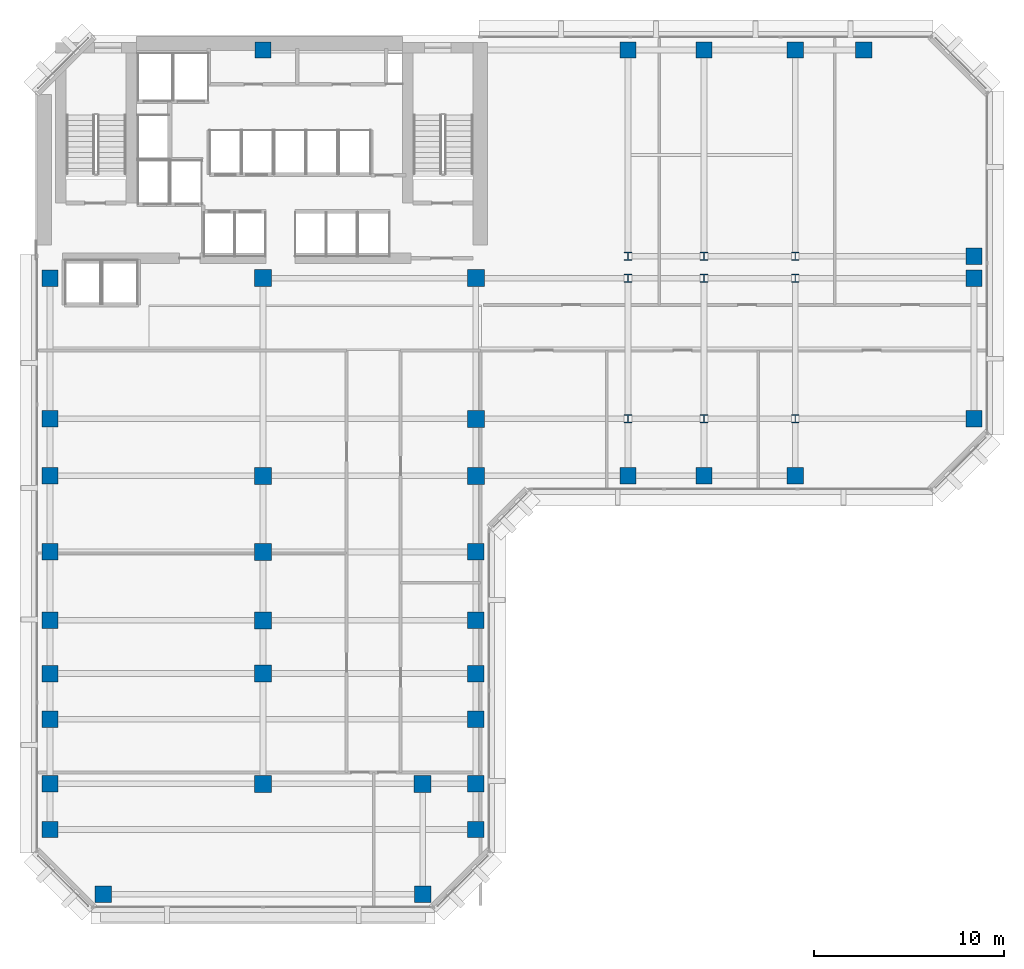
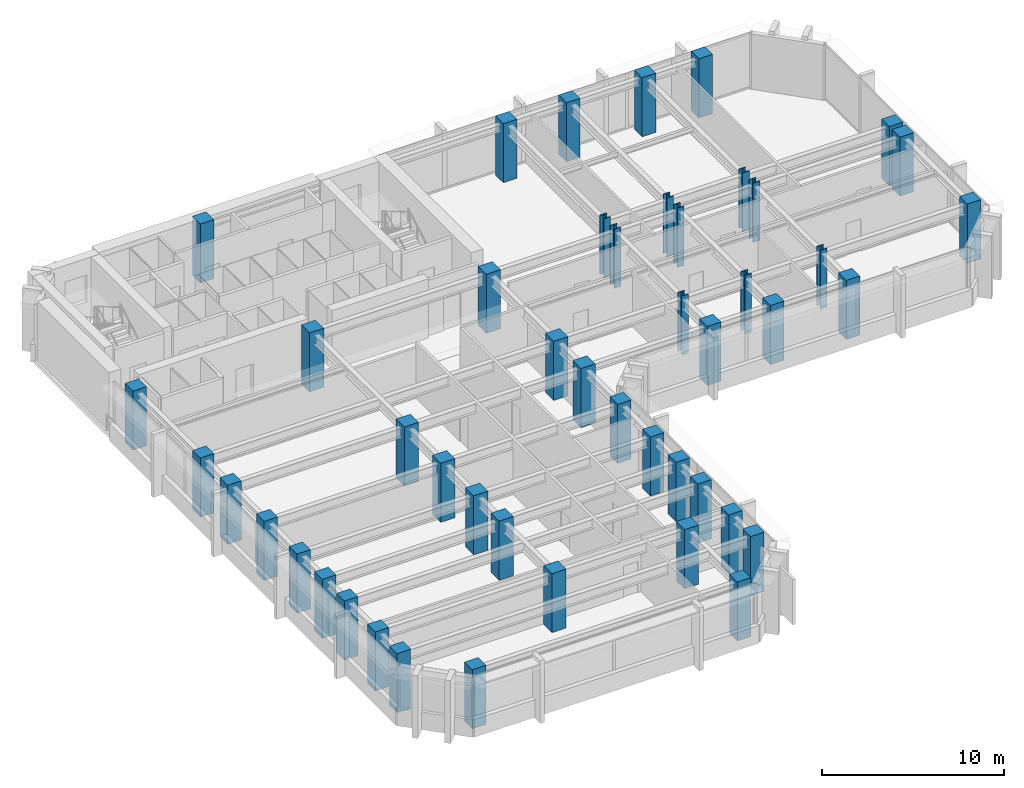
# One storey, part 1 of 12: 47 columns.
"""IFC4 building model written with IfcOpenShell, lengths in metres."""

from ifc_helpers import new_model, si_unit, direction, frame, origin, origin_2d, place, context, subcontext, project, spatial, rectangle, i_section, extrude, material, material_profile, profile_set, type_object, element, save


model = new_model("IFC4")

# Units and contexts
model_context = context("Model", 3, precision=1e-05, world=origin(), true_north=direction((0.0, 1.0)))
body_context = subcontext(model_context, "Body", "Model", "MODEL_VIEW")
ifc_project = project(units=[si_unit("LENGTHUNIT", "METRE"), si_unit("AREAUNIT", "SQUARE_METRE"), si_unit("VOLUMEUNIT", "CUBIC_METRE"), si_unit("PLANEANGLEUNIT", "RADIAN"), si_unit("MASSUNIT", "GRAM", prefix="KILO")], contexts=[model_context])

# Site, building, storey
site_placement = place(None, origin())
site = spatial("IfcSite", under=ifc_project, at=site_placement, CompositionType="ELEMENT")
building_placement = place(site_placement, origin())
building = spatial("IfcBuilding", under=site, at=building_placement, Name="Kefirva Bronze Tower", CompositionType="ELEMENT")
storey_placement = place(building_placement, frame((0.0, 0.0, 122.429931640625)))
storey = spatial("IfcBuildingStorey", under=building, at=storey_placement, Name="L29", CompositionType="ELEMENT", Elevation=122.429931640625)

# Columns
ifc_material_1 = material(Name="Concrete C60/75", Category="concrete")
ifc_material_profile_1 = material_profile(ifc_material_1, rectangle(XDim=0.860107421875, YDim=0.860107421875, at=origin_2d()), Name="RC 860x860")
ifc_profile_set_1 = profile_set([ifc_material_profile_1], Name="Concrete C60/75")
column_type_1 = type_object("IfcColumnType", Name="RC Column 860x860 Ext", PredefinedType="COLUMN", material=ifc_profile_set_1)
for number, where, z_axis, x_axis, name in (
    (1, (0.800048828125, 4.199951171875, 0.0), (0.0, 0.0, 1.0), (1.0, 0.0, 0.0), "L29 Column C008_042"),
    (2, (0.800048828125, 6.60009765625, 0.0), (0.0, 0.0, 1.0), (1.0, 0.0, 0.0), "L29 Column C008_066"),
    (3, (0.800048828125, 10.0, 0.0), (0.0, 0.0, 1.0), (1.0, 0.0, 0.0), "L29 Column C008_100"),
    (4, (0.800048828125, 12.39990234375, 0.0), (0.0, 0.0, 1.0), (1.0, 0.0, 0.0), "L29 Column C008_124"),
    (5, (0.800048828125, 15.199951171875, 0.0), (0.0, 0.0, 1.0), (1.0, 0.0, 0.0), "L29 Column C008_152"),
    (6, (0.800048828125, 18.800048828125, 0.0), (0.0, 0.0, 1.0), (1.0, 0.0, 0.0), "L29 Column C008_188"),
    (7, (0.800048828125, 22.800048828125, 0.0), (0.0, 0.0, 1.0), (1.0, 0.0, 0.0), "L29 Column C008_228"),
    (8, (0.800048828125, 25.800048828125, 0.0), (0.0, 0.0, 1.0), (1.0, 0.0, 0.0), "L29 Column C008_258"),
    (9, (0.800048828125, 33.199951171875, 0.0), (0.0, 0.0, 1.0), (1.0, 0.0, 0.0), "L29 Column C008_332"),
    (10, (3.60009765625, 0.800048828125, 0.0), (0.0, 0.0, 1.0), (1.0, 0.0, 0.0), "L29 Column C036_008"),
    (11, (12.0, 45.199951171875, 0.0), (0.0, 0.0, 1.0), (1.0, 0.0, 0.0), "L29 Column C120_452"),
    (12, (20.39990234375, 0.800048828125, 0.0), (0.0, 0.0, 1.0), (1.0, 0.0, 0.0), "L29 Column C204_008"),
    (13, (23.199951171875, 4.199951171875, 0.0), (0.0, 0.0, 1.0), (1.0, 0.0, 0.0), "L29 Column C232_042"),
    (14, (23.199951171875, 6.60009765625, 0.0), (0.0, 0.0, 1.0), (1.0, 0.0, 0.0), "L29 Column C232_066"),
    (15, (23.199951171875, 10.0, 0.0), (0.0, 0.0, 1.0), (1.0, 0.0, 0.0), "L29 Column C232_100"),
    (16, (23.199951171875, 12.39990234375, 0.0), (0.0, 0.0, 1.0), (1.0, 0.0, 0.0), "L29 Column C232_124"),
    (17, (23.199951171875, 15.199951171875, 0.0), (0.0, 0.0, 1.0), (1.0, 0.0, 0.0), "L29 Column C232_152"),
    (18, (23.199951171875, 18.800048828125, 0.0), (0.0, 0.0, 1.0), (1.0, 0.0, 0.0), "L29 Column C232_188"),
    (19, (31.199951171875, 22.800048828125, 0.0), (0.0, 0.0, 1.0), (1.0, 0.0, 0.0), "L29 Column C312_228"),
    (20, (31.199951171875, 45.199951171875, 0.0), (0.0, 0.0, 1.0), (1.0, 0.0, 0.0), "L29 Column C312_452"),
    (21, (35.199951171875, 22.800048828125, 0.0), (0.0, 0.0, 1.0), (1.0, 0.0, 0.0), "L29 Column C352_228"),
    (22, (35.199951171875, 45.199951171875, 0.0), (0.0, 0.0, 1.0), (1.0, 0.0, 0.0), "L29 Column C352_452"),
    (23, (40.0, 22.800048828125, 0.0), (0.0, 0.0, 1.0), (1.0, 0.0, 0.0), "L29 Column C400_228"),
    (24, (40.0, 45.199951171875, 0.0), (0.0, 0.0, 1.0), (1.0, 0.0, 0.0), "L29 Column C400_452"),
    (25, (43.60009765625, 45.199951171875, 0.0), (0.0, 0.0, 1.0), (1.0, 0.0, 0.0), "L29 Column C436_452"),
    (26, (49.39990234375, 25.800048828125, 0.0), (0.0, 0.0, 1.0), (1.0, 0.0, 0.0), "L29 Column C494_258"),
    (27, (49.39990234375, 33.199951171875, 0.0), (0.0, 0.0, 1.0), (1.0, 0.0, 0.0), "L29 Column C494_332"),
    (28, (49.39990234375, 34.35009765625, 0.0), (0.0, 0.0, 1.0), (1.0, 0.0, 0.0), "L29 Column C494_344"),
):
    element("IfcColumn", number, at=place(storey_placement, frame(where, z_axis=z_axis, x_axis=x_axis)), inside=storey, type_object=column_type_1, Name=name, PredefinedType="COLUMN", context=body_context, shape_type="SweptSolid", body=[
        extrude(rectangle(XDim=0.860107421875, YDim=0.860107421875, at=origin_2d()), origin(), (0.0, 0.0, 1.0), 3.9599609375),
    ])
ifc_material_profile_2 = material_profile(ifc_material_1, rectangle(XDim=0.89990234375, YDim=0.89990234375, at=origin_2d()), Name="RC 900x900")
ifc_profile_set_2 = profile_set([ifc_material_profile_2], Name="Concrete C60/75")
column_type_2 = type_object("IfcColumnType", Name="RC Column 900x900 Int", PredefinedType="COLUMN", material=ifc_profile_set_2)
for number, where, z_axis, x_axis, name in (
    (29, (12.0, 6.60009765625, 0.0), (0.0, 0.0, 1.0), (1.0, 0.0, 0.0), "L29 Column C120_066"),
    (30, (12.0, 12.39990234375, 0.0), (0.0, 0.0, 1.0), (1.0, 0.0, 0.0), "L29 Column C120_124"),
    (31, (12.0, 15.199951171875, 0.0), (0.0, 0.0, 1.0), (1.0, 0.0, 0.0), "L29 Column C120_152"),
    (32, (12.0, 18.800048828125, 0.0), (0.0, 0.0, 1.0), (1.0, 0.0, 0.0), "L29 Column C120_188"),
    (33, (12.0, 22.800048828125, 0.0), (0.0, 0.0, 1.0), (1.0, 0.0, 0.0), "L29 Column C120_228"),
    (34, (12.0, 33.199951171875, 0.0), (0.0, 0.0, 1.0), (1.0, 0.0, 0.0), "L29 Column C120_332"),
    (35, (20.39990234375, 6.60009765625, 0.0), (0.0, 0.0, 1.0), (1.0, 0.0, 0.0), "L29 Column C204_066"),
    (36, (23.199951171875, 22.800048828125, 0.0), (0.0, 0.0, 1.0), (1.0, 0.0, 0.0), "L29 Column C232_228"),
    (37, (23.199951171875, 25.800048828125, 0.0), (0.0, 0.0, 1.0), (1.0, 0.0, 0.0), "L29 Column C232_258"),
    (38, (23.199951171875, 33.199951171875, 0.0), (0.0, 0.0, 1.0), (1.0, 0.0, 0.0), "L29 Column C232_332"),
):
    element("IfcColumn", number, at=place(storey_placement, frame(where, z_axis=z_axis, x_axis=x_axis)), inside=storey, type_object=column_type_2, Name=name, PredefinedType="COLUMN", context=body_context, shape_type="SweptSolid", body=[
        extrude(rectangle(XDim=0.89990234375, YDim=0.89990234375, at=origin_2d()), origin(), (0.0, 0.0, 1.0), 3.9599609375),
    ])
ifc_material_2 = material(Name="Steel S460", Category="steel")
ifc_material_profile_3 = material_profile(ifc_material_2, i_section(OverallWidth=0.41796875, OverallDepth=0.455078125, WebThickness=0.031982421875, FlangeThickness=0.051025390625, at=origin_2d()), Name="HD 400x551")
ifc_profile_set_3 = profile_set([ifc_material_profile_3], Name="Steel S460")
column_type_3 = type_object("IfcColumnType", Name="Steel Column HD 400x551", PredefinedType="COLUMN", material=ifc_profile_set_3)
for number, where, z_axis, x_axis, name in (
    (39, (31.199951171875, 25.800048828125, 0.0), (0.0, 0.0, 1.0), (1.0, 0.0, 0.0), "L29 Column C312_258"),
    (40, (31.199951171875, 33.199951171875, 0.0), (0.0, 0.0, 1.0), (1.0, 0.0, 0.0), "L29 Column C312_332"),
    (41, (31.199951171875, 34.35009765625, 0.0), (0.0, 0.0, 1.0), (1.0, 0.0, 0.0), "L29 Column C312_344"),
    (42, (35.199951171875, 25.800048828125, 0.0), (0.0, 0.0, 1.0), (1.0, 0.0, 0.0), "L29 Column C352_258"),
    (43, (35.199951171875, 33.199951171875, 0.0), (0.0, 0.0, 1.0), (1.0, 0.0, 0.0), "L29 Column C352_332"),
    (44, (35.199951171875, 34.35009765625, 0.0), (0.0, 0.0, 1.0), (1.0, 0.0, 0.0), "L29 Column C352_344"),
    (45, (40.0, 25.800048828125, 0.0), (0.0, 0.0, 1.0), (1.0, 0.0, 0.0), "L29 Column C400_258"),
    (46, (40.0, 33.199951171875, 0.0), (0.0, 0.0, 1.0), (1.0, 0.0, 0.0), "L29 Column C400_332"),
    (47, (40.0, 34.35009765625, 0.0), (0.0, 0.0, 1.0), (1.0, 0.0, 0.0), "L29 Column C400_344"),
):
    element("IfcColumn", number, at=place(storey_placement, frame(where, z_axis=z_axis, x_axis=x_axis)), inside=storey, type_object=column_type_3, Name=name, PredefinedType="COLUMN", context=body_context, shape_type="SweptSolid", body=[
        extrude(i_section(OverallWidth=0.41796875, OverallDepth=0.455078125, WebThickness=0.031982421875, FlangeThickness=0.051025390625, at=origin_2d()), origin(), (0.0, 0.0, 1.0), 3.9599609375),
    ])

save(model, "model.ifc")
